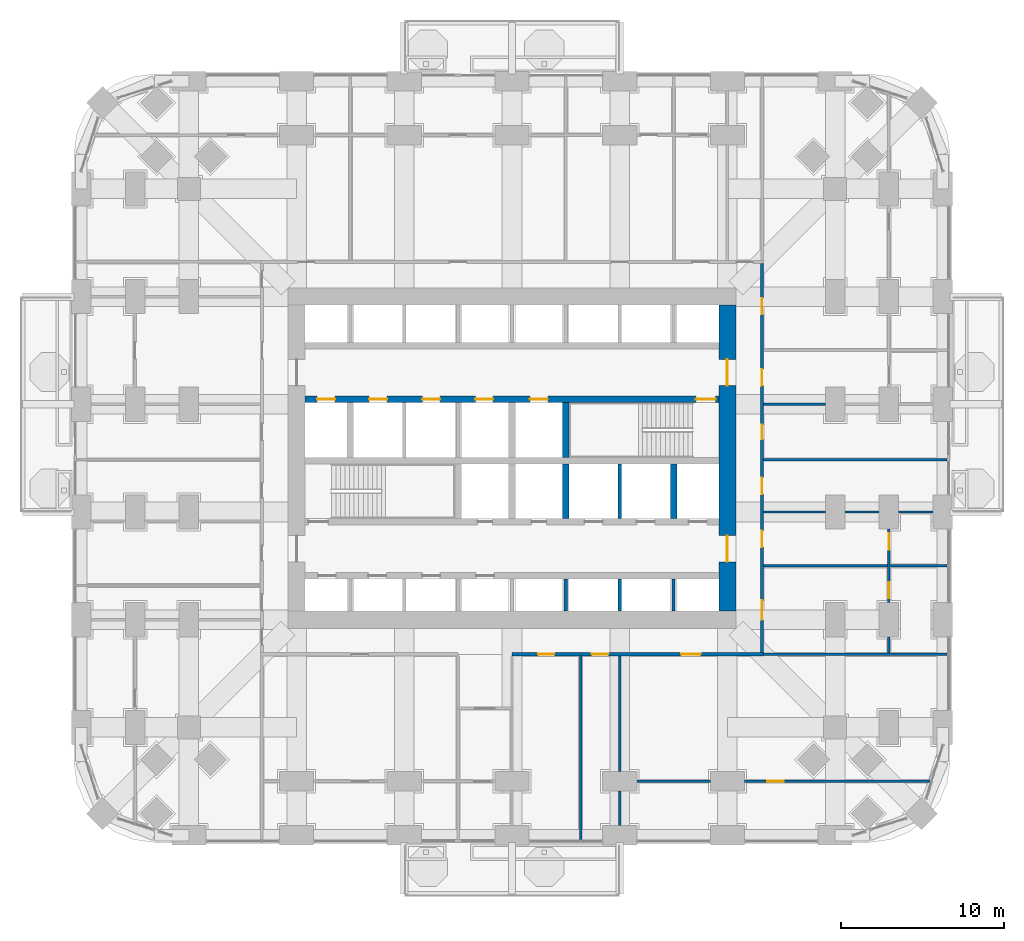
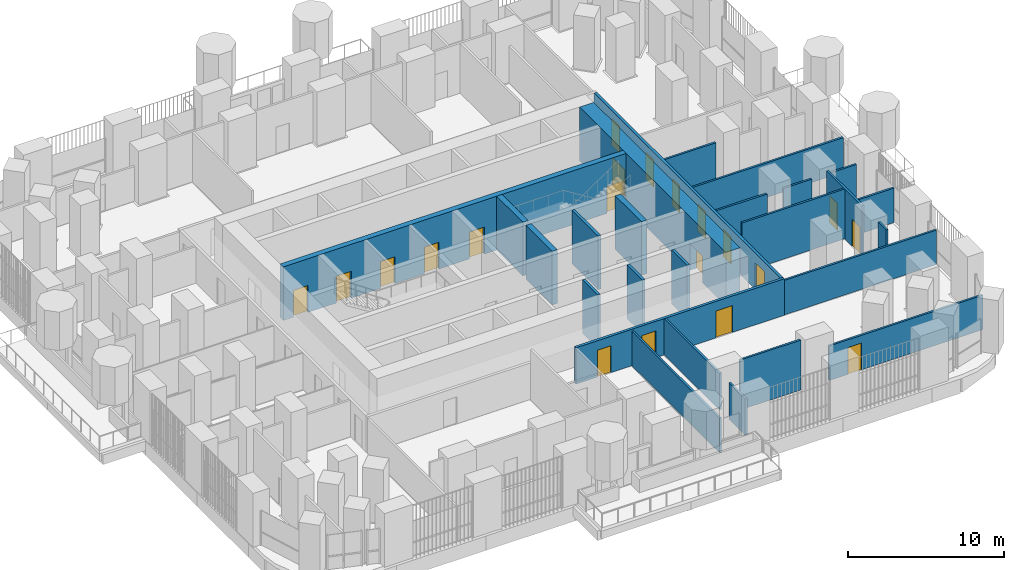
# One storey, part 19 of 26: 26 walls, 20 doors, 20 openings.
"""IFC4 building model written with IfcOpenShell, lengths in metres."""

from ifc_helpers import new_model, si_unit, direction, frame, frame_2d, origin, place, context, subcontext, project, spatial, rectangle, extrude, material, layer, layer_set, type_object, element, fill, save


model = new_model("IFC4")

# Units and contexts
model_context = context("Model", 3, precision=1e-05, world=origin(), true_north=direction((0.0, 1.0)))
body_context = subcontext(model_context, "Body", "Model", "MODEL_VIEW")
ifc_project = project(units=[si_unit("LENGTHUNIT", "METRE"), si_unit("AREAUNIT", "SQUARE_METRE"), si_unit("VOLUMEUNIT", "CUBIC_METRE"), si_unit("PLANEANGLEUNIT", "RADIAN"), si_unit("MASSUNIT", "GRAM", prefix="KILO")], contexts=[model_context])

# Site, building, storey
site_placement = place(None, origin())
site = spatial("IfcSite", under=ifc_project, at=site_placement, CompositionType="ELEMENT")
building_placement = place(site_placement, origin())
building = spatial("IfcBuilding", under=site, at=building_placement, Name="Cobogo Forest Laboratory Tower", CompositionType="ELEMENT")
storey_placement = place(building_placement, frame((0.0, 0.0, 50.699951171875)))
storey = spatial("IfcBuildingStorey", under=building, at=storey_placement, Name="L11", CompositionType="ELEMENT", Elevation=50.699951171875)

# Wall, openings, doors
ifc_material_1 = material(Name="Concrete HA-50 (C50/60)", Category="concrete")
ifc_layer_1 = layer(ifc_material_1, 0.39990234375)
ifc_layer_set_1 = layer_set([ifc_layer_1], Name="CI400 core inner wall 400")
wall_type_1 = type_object("IfcWallType", Name="CI400 core inner wall 400", PredefinedType="SHEAR", material=ifc_layer_set_1)
wall_1_placement = place(storey_placement, frame((13.72509765625, 26.699951171875, 0.0), z_axis=(0.0, 0.0, 1.0), x_axis=(1.0, 0.0, 0.0)))
wall_1 = element("IfcWall", 1, at=wall_1_placement, inside=storey, type_object=wall_type_1, Name="Core wall CI-26.7 L11", PredefinedType="SHEAR", context=body_context, shape_type="SweptSolid", body=[
    extrude(rectangle(XDim=25.349853515625, YDim=0.39990234375, at=frame_2d((12.6748046875, 0.0))), origin(), (0.0, 0.0, 1.0), 4.199951171875),
])
opening_1_placement = place(wall_1_placement, frame((23.949951171875, 0.0, 0.0)))
opening_1 = element("IfcOpeningElement", 2, at=opening_1_placement, cuts=wall_1, Name="Opening L11-D29", PredefinedType="OPENING", context=body_context, shape_type="SweptSolid", body=[
    extrude(rectangle(XDim=1.199951171875, YDim=2.10009765625, at=frame_2d((0.60009765625, 1.050048828125))), frame((0.0, 0.2099609375, 0.0), z_axis=(0.0, -1.0, 0.0), x_axis=(1.0, 0.0, 0.0)), (0.0, 0.0, 1.0), 0.419921875),
])
opening_2_placement = place(wall_1_placement, frame((0.737548828125, 0.0, 0.0)))
opening_2 = element("IfcOpeningElement", 3, at=opening_2_placement, cuts=wall_1, Name="Opening L11-LD-FL1", PredefinedType="OPENING", context=body_context, shape_type="SweptSolid", body=[
    extrude(rectangle(XDim=1.10009765625, YDim=2.10009765625, at=frame_2d((0.550048828125, 1.050048828125))), frame((0.0, 0.2099609375, 0.0), z_axis=(0.0, -1.0, 0.0), x_axis=(1.0, 0.0, 0.0)), (0.0, 0.0, 1.0), 0.419921875),
])
opening_3_placement = place(wall_1_placement, frame((3.925048828125, 0.0, 0.0)))
opening_3 = element("IfcOpeningElement", 4, at=opening_3_placement, cuts=wall_1, Name="Opening L11-LD-LS3", PredefinedType="OPENING", context=body_context, shape_type="SweptSolid", body=[
    extrude(rectangle(XDim=1.10009765625, YDim=2.10009765625, at=frame_2d((0.550048828125, 1.050048828125))), frame((0.0, 0.2099609375, 0.0), z_axis=(0.0, -1.0, 0.0), x_axis=(1.0, 0.0, 0.0)), (0.0, 0.0, 1.0), 0.419921875),
])
opening_4_placement = place(wall_1_placement, frame((7.175048828125, 0.0, 0.0)))
opening_4 = element("IfcOpeningElement", 5, at=opening_4_placement, cuts=wall_1, Name="Opening L11-LD-LS4", PredefinedType="OPENING", context=body_context, shape_type="SweptSolid", body=[
    extrude(rectangle(XDim=1.10009765625, YDim=2.10009765625, at=frame_2d((0.550048828125, 1.050048828125))), frame((0.0, 0.2099609375, 0.0), z_axis=(0.0, -1.0, 0.0), x_axis=(1.0, 0.0, 0.0)), (0.0, 0.0, 1.0), 0.419921875),
])
opening_5_placement = place(wall_1_placement, frame((10.425048828125, 0.0, 0.0)))
opening_5 = element("IfcOpeningElement", 6, at=opening_5_placement, cuts=wall_1, Name="Opening L11-LD-LS5", PredefinedType="OPENING", context=body_context, shape_type="SweptSolid", body=[
    extrude(rectangle(XDim=1.10009765625, YDim=2.10009765625, at=frame_2d((0.550048828125, 1.050048828125))), frame((0.0, 0.2099609375, 0.0), z_axis=(0.0, -1.0, 0.0), x_axis=(1.0, 0.0, 0.0)), (0.0, 0.0, 1.0), 0.419921875),
])
opening_6_placement = place(wall_1_placement, frame((13.77490234375, 0.0, 0.0)))
opening_6 = element("IfcOpeningElement", 7, at=opening_6_placement, cuts=wall_1, Name="Opening L11-LD-LS6", PredefinedType="OPENING", context=body_context, shape_type="SweptSolid", body=[
    extrude(rectangle(XDim=1.10009765625, YDim=2.10009765625, at=frame_2d((0.550048828125, 1.050048828125))), frame((0.0, 0.2099609375, 0.0), z_axis=(0.0, -1.0, 0.0), x_axis=(1.0, 0.0, 0.0)), (0.0, 0.0, 1.0), 0.419921875),
])
ifc_material_2 = material(Name="Steel fire door", Category="steel")
door_type_1 = type_object("IfcDoorType", Name="DS1 protected stair door 1200 EI2 60", OperationType="SINGLE_SWING_LEFT", PredefinedType="DOOR", material=ifc_material_2)
door_1_placement = place(opening_1_placement, origin())
door_1 = element("IfcDoor", 8, at=door_1_placement, inside=storey, type_object=door_type_1, Name="Door L11-ST2", OperationType="SINGLE_SWING_RIGHT", OverallHeight=2.10009765625, OverallWidth=1.199951171875, PredefinedType="DOOR", context=body_context, shape_type="SweptSolid", body=[
    extrude(rectangle(XDim=1.199951171875, YDim=2.10009765625, at=frame_2d((0.60009765625, 1.050048828125))), frame((0.0, 0.02490234375, 0.0), z_axis=(0.0, -1.0, 0.0), x_axis=(1.0, 0.0, 0.0)), (0.0, 0.0, 1.0), 0.050048828125),
])
fill(opening_1, door_1)
ifc_material_3 = material(Name="Stainless steel lift door", Category="steel")
door_type_2 = type_object("IfcDoorType", Name="LD lift landing door 1100", OperationType="DOUBLE_DOOR_SLIDING", PredefinedType="DOOR", material=ifc_material_3)
door_2_placement = place(opening_2_placement, origin())
door_2 = element("IfcDoor", 9, at=door_2_placement, inside=storey, type_object=door_type_2, Name="Lift landing door FL1 L11", OperationType="DOUBLE_DOOR_SLIDING", OverallHeight=2.10009765625, OverallWidth=1.10009765625, PredefinedType="DOOR", context=body_context, shape_type="SweptSolid", body=[
    extrude(rectangle(XDim=1.10009765625, YDim=2.10009765625, at=frame_2d((0.550048828125, 1.050048828125))), frame((0.0, 0.02490234375, 0.0), z_axis=(0.0, -1.0, 0.0), x_axis=(1.0, 0.0, 0.0)), (0.0, 0.0, 1.0), 0.050048828125),
])
fill(opening_2, door_2)
door_3_placement = place(opening_3_placement, origin())
door_3 = element("IfcDoor", 10, at=door_3_placement, inside=storey, type_object=door_type_2, Name="Lift landing door LS3 L11", OperationType="DOUBLE_DOOR_SLIDING", OverallHeight=2.10009765625, OverallWidth=1.10009765625, PredefinedType="DOOR", context=body_context, shape_type="SweptSolid", body=[
    extrude(rectangle(XDim=1.10009765625, YDim=2.10009765625, at=frame_2d((0.550048828125, 1.050048828125))), frame((0.0, 0.02490234375, 0.0), z_axis=(0.0, -1.0, 0.0), x_axis=(1.0, 0.0, 0.0)), (0.0, 0.0, 1.0), 0.050048828125),
])
fill(opening_3, door_3)
door_4_placement = place(opening_4_placement, origin())
door_4 = element("IfcDoor", 11, at=door_4_placement, inside=storey, type_object=door_type_2, Name="Lift landing door LS4 L11", OperationType="DOUBLE_DOOR_SLIDING", OverallHeight=2.10009765625, OverallWidth=1.10009765625, PredefinedType="DOOR", context=body_context, shape_type="SweptSolid", body=[
    extrude(rectangle(XDim=1.10009765625, YDim=2.10009765625, at=frame_2d((0.550048828125, 1.050048828125))), frame((0.0, 0.02490234375, 0.0), z_axis=(0.0, -1.0, 0.0), x_axis=(1.0, 0.0, 0.0)), (0.0, 0.0, 1.0), 0.050048828125),
])
fill(opening_4, door_4)
door_5_placement = place(opening_5_placement, origin())
door_5 = element("IfcDoor", 12, at=door_5_placement, inside=storey, type_object=door_type_2, Name="Lift landing door LS5 L11", OperationType="DOUBLE_DOOR_SLIDING", OverallHeight=2.10009765625, OverallWidth=1.10009765625, PredefinedType="DOOR", context=body_context, shape_type="SweptSolid", body=[
    extrude(rectangle(XDim=1.10009765625, YDim=2.10009765625, at=frame_2d((0.550048828125, 1.050048828125))), frame((0.0, 0.02490234375, 0.0), z_axis=(0.0, -1.0, 0.0), x_axis=(1.0, 0.0, 0.0)), (0.0, 0.0, 1.0), 0.050048828125),
])
fill(opening_5, door_5)
door_6_placement = place(opening_6_placement, origin())
door_6 = element("IfcDoor", 13, at=door_6_placement, inside=storey, type_object=door_type_2, Name="Lift landing door LS6 L11", OperationType="DOUBLE_DOOR_SLIDING", OverallHeight=2.10009765625, OverallWidth=1.10009765625, PredefinedType="DOOR", context=body_context, shape_type="SweptSolid", body=[
    extrude(rectangle(XDim=1.10009765625, YDim=2.10009765625, at=frame_2d((0.550048828125, 1.050048828125))), frame((0.0, 0.02490234375, 0.0), z_axis=(0.0, -1.0, 0.0), x_axis=(1.0, 0.0, 0.0)), (0.0, 0.0, 1.0), 0.050048828125),
])
fill(opening_6, door_6)

# Walls
for number, where, z_axis, x_axis, name in (
    (14, (29.699951171875, 19.39990234375, 0.0), (0.0, 0.0, 1.0), (0.0, 1.0, 0.0), "Core wall CX-29.7S L11"),
    (15, (36.300048828125, 19.39990234375, 0.0), (0.0, 0.0, 1.0), (0.0, 1.0, 0.0), "Core wall CX-36.3 L11"),
    (16, (29.699951171875, 23.14990234375, 0.0), (0.0, 0.0, 1.0), (0.0, 1.0, 0.0), "Core wall CX-29.7N L11"),
):
    element("IfcWall", number, at=place(storey_placement, frame(where, z_axis=z_axis, x_axis=x_axis)), inside=storey, type_object=wall_type_1, Name=name, PredefinedType="SHEAR", context=body_context, shape_type="SweptSolid", body=[
        extrude(rectangle(XDim=3.35009765625, YDim=0.39990234375, at=frame_2d((1.675048828125, 0.0))), origin(), (0.0, 0.0, 1.0), 4.199951171875),
    ])

# Wall, openings, doors
ifc_layer_2 = layer(ifc_material_1, 1.050048828125)
ifc_layer_set_2 = layer_set([ifc_layer_2], Name="CW1050 core outer wall 1050")
wall_type_2 = type_object("IfcWallType", Name="CW1050 core outer wall 1050", PredefinedType="SHEAR", material=ifc_layer_set_2)
wall_2_placement = place(storey_placement, frame((39.60009765625, 13.72509765625, 0.0), z_axis=(0.0, 0.0, 1.0), x_axis=(0.0, 1.0, 0.0)))
wall_2 = element("IfcWall", 17, at=wall_2_placement, inside=storey, type_object=wall_type_2, Name="Core wall CO-E L11", PredefinedType="SHEAR", context=body_context, shape_type="SweptSolid", body=[
    extrude(rectangle(XDim=18.75, YDim=1.050048828125, at=frame_2d((9.375, 0.0))), origin(), (0.0, 0.0, 1.0), 4.199951171875),
])
opening_7_placement = place(wall_2_placement, frame((3.02490234375, 0.0, 0.0)))
opening_7 = element("IfcOpeningElement", 18, at=opening_7_placement, cuts=wall_2, Name="Opening L11-D17", PredefinedType="OPENING", context=body_context, shape_type="SweptSolid", body=[
    extrude(rectangle(XDim=1.60009765625, YDim=2.10009765625, at=frame_2d((0.800048828125, 1.050048828125))), frame((0.0, 0.534912109375, 0.0), z_axis=(0.0, -1.0, 0.0), x_axis=(1.0, 0.0, 0.0)), (0.0, 0.0, 1.0), 1.070068359375),
])
opening_8_placement = place(wall_2_placement, frame((13.824951171875, 0.0, 0.0)))
opening_8 = element("IfcOpeningElement", 19, at=opening_8_placement, cuts=wall_2, Name="Opening L11-D33", PredefinedType="OPENING", context=body_context, shape_type="SweptSolid", body=[
    extrude(rectangle(XDim=1.60009765625, YDim=2.10009765625, at=frame_2d((0.800048828125, 1.050048828125))), frame((0.0, 0.534912109375, 0.0), z_axis=(0.0, -1.0, 0.0), x_axis=(1.0, 0.0, 0.0)), (0.0, 0.0, 1.0), 1.070068359375),
])
door_type_3 = type_object("IfcDoorType", Name="DS2 protected lobby door pair 1600 EI2 60", OperationType="DOUBLE_DOOR_DOUBLE_SWING", PredefinedType="DOOR", material=ifc_material_2)
door_7_placement = place(opening_7_placement, origin())
door_7 = element("IfcDoor", 20, at=door_7_placement, inside=storey, type_object=door_type_3, Name="Door L11-CO-E-S", OperationType="DOUBLE_DOOR_DOUBLE_SWING", OverallHeight=2.10009765625, OverallWidth=1.60009765625, PredefinedType="DOOR", context=body_context, shape_type="SweptSolid", body=[
    extrude(rectangle(XDim=1.60009765625, YDim=2.10009765625, at=frame_2d((0.800048828125, 1.050048828125))), frame((0.0, 0.02490234375, 0.0), z_axis=(0.0, -1.0, 0.0), x_axis=(1.0, 0.0, 0.0)), (0.0, 0.0, 1.0), 0.050048828125),
])
fill(opening_7, door_7)
door_8_placement = place(opening_8_placement, origin())
door_8 = element("IfcDoor", 21, at=door_8_placement, inside=storey, type_object=door_type_3, Name="Door L11-CO-E-N", OperationType="DOUBLE_DOOR_DOUBLE_SWING", OverallHeight=2.10009765625, OverallWidth=1.60009765625, PredefinedType="DOOR", context=body_context, shape_type="SweptSolid", body=[
    extrude(rectangle(XDim=1.60009765625, YDim=2.10009765625, at=frame_2d((0.800048828125, 1.050048828125))), frame((0.0, 0.02490234375, 0.0), z_axis=(0.0, -1.0, 0.0), x_axis=(1.0, 0.0, 0.0)), (0.0, 0.0, 1.0), 0.050048828125),
])
fill(opening_8, door_8)

# Walls
ifc_material_4 = material(Name="Gypsum board on steel studs", Category="steel")
ifc_layer_3 = layer(ifc_material_4, 0.14990234375)
ifc_layer_set_3 = layer_set([ifc_layer_3], Name="PT1 laboratory partition 150")
wall_type_3 = type_object("IfcWallType", Name="PT1 laboratory partition 150", PredefinedType="PARTITIONING", material=ifc_layer_set_3)
wall_3_placement = place(storey_placement, frame((53.070068359375, 11.074951171875, 0.0), z_axis=(0.0, 0.0, 1.0), x_axis=(-1.0, 0.0, 0.0)))
element("IfcWall", 22, at=wall_3_placement, inside=storey, type_object=wall_type_3, Name="Partition PW-SE L11", PredefinedType="PARTITIONING", context=body_context, shape_type="SweptSolid", body=[
    extrude(rectangle(XDim=11.2451171875, YDim=0.14990234375, at=frame_2d((5.62255859375, 0.0))), origin(), (0.0, 0.0, 1.0), 2.699951171875),
])
wall_4_placement = place(storey_placement, frame((34.050048828125, 3.300048828125, 0.0), z_axis=(0.0, 0.0, 1.0), x_axis=(1.0, 0.0, 0.0)))
element("IfcWall", 23, at=wall_4_placement, inside=storey, type_object=wall_type_3, Name="Partition STRIP-S-4 L11", PredefinedType="PARTITIONING", context=body_context, shape_type="SweptSolid", body=[
    extrude(rectangle(XDim=4.5, YDim=0.14990234375, at=frame_2d((2.25, 0.0))), origin(), (0.0, 0.0, 1.0), 3.900146484375),
])

# Wall, opening, door
wall_5_placement = place(storey_placement, frame((40.64990234375, 3.300048828125, 0.0), z_axis=(0.0, 0.0, 1.0), x_axis=(1.0, 0.0, 0.0)))
wall_5 = element("IfcWall", 24, at=wall_5_placement, inside=storey, type_object=wall_type_3, Name="Partition STRIP-S-5 L11", PredefinedType="PARTITIONING", context=body_context, shape_type="SweptSolid", body=[
    extrude(rectangle(XDim=11.3740234375, YDim=0.14990234375, at=frame_2d((5.68701171875, 0.0))), origin(), (0.0, 0.0, 1.0), 2.699951171875),
])
opening_9_placement = place(wall_5_placement, frame((1.39208984375, 0.0, 0.0)))
opening_9 = element("IfcOpeningElement", 25, at=opening_9_placement, cuts=wall_5, Name="Opening L11-D04", PredefinedType="OPENING", context=body_context, shape_type="SweptSolid", body=[
    extrude(rectangle(XDim=1.0, YDim=2.10009765625, at=frame_2d((0.5, 1.050048828125))), frame((0.0, 0.0849609375, 0.0), z_axis=(0.0, -1.0, 0.0), x_axis=(1.0, 0.0, 0.0)), (0.0, 0.0, 1.0), 0.169921875),
])
ifc_material_5 = material(Name="Timber fire door", Category="wood")
door_type_4 = type_object("IfcDoorType", Name="FD2 fire door 1000 EI2 30", OperationType="SINGLE_SWING_LEFT", PredefinedType="DOOR", material=ifc_material_5)
door_9_placement = place(opening_9_placement, origin())
door_9 = element("IfcDoor", 26, at=door_9_placement, inside=storey, type_object=door_type_4, Name="Door L11-S3W", OperationType="SINGLE_SWING_LEFT", OverallHeight=2.10009765625, OverallWidth=1.0, PredefinedType="DOOR", context=body_context, shape_type="SweptSolid", body=[
    extrude(rectangle(XDim=1.0, YDim=2.10009765625, at=frame_2d((0.5, 1.050048828125))), frame((0.0, 0.02490234375, 0.0), z_axis=(0.0, -1.0, 0.0), x_axis=(1.0, 0.0, 0.0)), (0.0, 0.0, 1.0), 0.050048828125),
])
fill(opening_9, door_9)

# Walls
wall_6_placement = place(storey_placement, frame((30.60009765625, -0.27001953125, 0.0), z_axis=(0.0, 0.0, 1.0), x_axis=(0.0, 1.0, 0.0)))
element("IfcWall", 27, at=wall_6_placement, inside=storey, type_object=wall_type_3, Name="Partition SVC-S1-1 L11", PredefinedType="PARTITIONING", context=body_context, shape_type="SweptSolid", body=[
    extrude(rectangle(XDim=11.2451171875, YDim=0.14990234375, at=frame_2d((5.62255859375, 0.0))), origin(), (0.0, 0.0, 1.0), 2.699951171875),
])
wall_7_placement = place(storey_placement, frame((33.0, 0.60009765625, 0.0), z_axis=(0.0, 0.0, 1.0), x_axis=(0.0, 1.0, 0.0)))
element("IfcWall", 28, at=wall_7_placement, inside=storey, type_object=wall_type_3, Name="Partition SVC-S2-1 L11", PredefinedType="PARTITIONING", context=body_context, shape_type="SweptSolid", body=[
    extrude(rectangle(XDim=2.099853515625, YDim=0.14990234375, at=frame_2d((1.0498046875, 0.0))), origin(), (0.0, 0.0, 1.0), 2.85009765625),
])
wall_8_placement = place(storey_placement, frame((33.0, 3.89990234375, 0.0), z_axis=(0.0, 0.0, 1.0), x_axis=(0.0, 1.0, 0.0)))
element("IfcWall", 29, at=wall_8_placement, inside=storey, type_object=wall_type_3, Name="Partition SVC-S2-2 L11", PredefinedType="PARTITIONING", context=body_context, shape_type="SweptSolid", body=[
    extrude(rectangle(XDim=7.0751953125, YDim=0.14990234375, at=frame_2d((3.53759765625, 0.0))), origin(), (0.0, 0.0, 1.0), 2.85009765625),
])
wall_9_placement = place(storey_placement, frame((49.5, 11.14990234375, 0.0), z_axis=(0.0, 0.0, 1.0), x_axis=(0.0, 1.0, 0.0)))
element("IfcWall", 30, at=wall_9_placement, inside=storey, type_object=wall_type_3, Name="Partition STRIP-E-1 L11", PredefinedType="PARTITIONING", context=body_context, shape_type="SweptSolid", body=[
    extrude(rectangle(XDim=1.0, YDim=0.14990234375, at=frame_2d((0.5, 0.0))), origin(), (0.0, 0.0, 1.0), 3.900146484375),
])

# Wall, openings, doors
wall_10_placement = place(storey_placement, frame((49.5, 14.25, 0.0), z_axis=(0.0, 0.0, 1.0), x_axis=(0.0, 1.0, 0.0)))
wall_10 = element("IfcWall", 31, at=wall_10_placement, inside=storey, type_object=wall_type_3, Name="Partition STRIP-E-2 L11", PredefinedType="PARTITIONING", context=body_context, shape_type="SweptSolid", body=[
    extrude(rectangle(XDim=4.5, YDim=0.14990234375, at=frame_2d((2.25, 0.0))), origin(), (0.0, 0.0, 1.0), 3.900146484375),
])
opening_10_placement = place(wall_10_placement, frame((0.25, 0.0, 0.0)))
opening_10 = element("IfcOpeningElement", 32, at=opening_10_placement, cuts=wall_10, Name="Opening L11-D14", PredefinedType="OPENING", context=body_context, shape_type="SweptSolid", body=[
    extrude(rectangle(XDim=1.0, YDim=2.10009765625, at=frame_2d((0.5, 1.050048828125))), frame((0.0, 0.0849609375, 0.0), z_axis=(0.0, -1.0, 0.0), x_axis=(1.0, 0.0, 0.0)), (0.0, 0.0, 1.0), 0.169921875),
])
opening_11_placement = place(wall_10_placement, frame((3.25, 0.0, 0.0)))
opening_11 = element("IfcOpeningElement", 33, at=opening_11_placement, cuts=wall_10, Name="Opening L11-D18", PredefinedType="OPENING", context=body_context, shape_type="SweptSolid", body=[
    extrude(rectangle(XDim=1.0, YDim=2.10009765625, at=frame_2d((0.5, 1.050048828125))), frame((0.0, 0.0849609375, 0.0), z_axis=(0.0, -1.0, 0.0), x_axis=(1.0, 0.0, 0.0)), (0.0, 0.0, 1.0), 0.169921875),
])
door_10_placement = place(opening_10_placement, origin())
door_10 = element("IfcDoor", 34, at=door_10_placement, inside=storey, type_object=door_type_4, Name="Door L11-E1W", OperationType="SINGLE_SWING_LEFT", OverallHeight=2.10009765625, OverallWidth=1.0, PredefinedType="DOOR", context=body_context, shape_type="SweptSolid", body=[
    extrude(rectangle(XDim=1.0, YDim=2.10009765625, at=frame_2d((0.5, 1.050048828125))), frame((0.0, 0.02490234375, 0.0), z_axis=(0.0, -1.0, 0.0), x_axis=(1.0, 0.0, 0.0)), (0.0, 0.0, 1.0), 0.050048828125),
])
fill(opening_10, door_10)
door_11_placement = place(opening_11_placement, origin())
door_11 = element("IfcDoor", 35, at=door_11_placement, inside=storey, type_object=door_type_4, Name="Door L11-E2W", OperationType="SINGLE_SWING_RIGHT", OverallHeight=2.10009765625, OverallWidth=1.0, PredefinedType="DOOR", context=body_context, shape_type="SweptSolid", body=[
    extrude(rectangle(XDim=1.0, YDim=2.10009765625, at=frame_2d((0.5, 1.050048828125))), frame((0.0, 0.02490234375, 0.0), z_axis=(0.0, -1.0, 0.0), x_axis=(1.0, 0.0, 0.0)), (0.0, 0.0, 1.0), 0.050048828125),
])
fill(opening_11, door_11)

# Walls
wall_11_placement = place(storey_placement, frame((53.070068359375, 23.0, 0.0), z_axis=(0.0, 0.0, 1.0), x_axis=(-1.0, 0.0, 0.0)))
element("IfcWall", 36, at=wall_11_placement, inside=storey, type_object=wall_type_3, Name="Partition SVC-E1-1 L11", PredefinedType="PARTITIONING", context=body_context, shape_type="SweptSolid", body=[
    extrude(rectangle(XDim=11.2451171875, YDim=0.14990234375, at=frame_2d((5.62255859375, 0.0))), origin(), (0.0, 0.0, 1.0), 2.699951171875),
])
wall_12_placement = place(storey_placement, frame((45.60009765625, 26.39990234375, 0.0), z_axis=(0.0, 0.0, 1.0), x_axis=(-1.0, 0.0, 0.0)))
element("IfcWall", 37, at=wall_12_placement, inside=storey, type_object=wall_type_3, Name="Partition SVC-E2-3 L11", PredefinedType="PARTITIONING", context=body_context, shape_type="SweptSolid", body=[
    extrude(rectangle(XDim=3.775146484375, YDim=0.14990234375, at=frame_2d((1.8876953125, 0.0))), origin(), (0.0, 0.0, 1.0), 2.85009765625),
])
wall_13_placement = place(storey_placement, frame((53.070068359375, 16.5, 0.0), z_axis=(0.0, 0.0, 1.0), x_axis=(-1.0, 0.0, 0.0)))
element("IfcWall", 38, at=wall_13_placement, inside=storey, type_object=wall_type_3, Name="Partition CUT-E16.5a-1 L11", PredefinedType="PARTITIONING", context=body_context, shape_type="SweptSolid", body=[
    extrude(rectangle(XDim=3.4951171875, YDim=0.14990234375, at=frame_2d((1.74755859375, 0.0))), origin(), (0.0, 0.0, 1.0), 2.699951171875),
])
wall_14_placement = place(storey_placement, frame((49.425048828125, 16.5, 0.0), z_axis=(0.0, 0.0, 1.0), x_axis=(-1.0, 0.0, 0.0)))
element("IfcWall", 39, at=wall_14_placement, inside=storey, type_object=wall_type_3, Name="Partition CUT-E16.5b-1 L11", PredefinedType="PARTITIONING", context=body_context, shape_type="SweptSolid", body=[
    extrude(rectangle(XDim=7.60009765625, YDim=0.14990234375, at=frame_2d((3.800048828125, 0.0))), origin(), (0.0, 0.0, 1.0), 3.900146484375),
])
for number, where, z_axis, x_axis, name in (
    (40, (52.199951171875, 19.800048828125, 0.0), (0.0, 0.0, 1.0), (-1.0, 0.0, 0.0), "Partition CUT-E19.8-1 L11"),
    (41, (48.89990234375, 19.800048828125, 0.0), (0.0, 0.0, 1.0), (-1.0, 0.0, 0.0), "Partition CUT-E19.8-2 L11"),
):
    element("IfcWall", number, at=place(storey_placement, frame(where, z_axis=z_axis, x_axis=x_axis)), inside=storey, type_object=wall_type_3, Name=name, PredefinedType="PARTITIONING", context=body_context, shape_type="SweptSolid", body=[
        extrude(rectangle(XDim=2.099853515625, YDim=0.14990234375, at=frame_2d((1.0498046875, 0.0))), origin(), (0.0, 0.0, 1.0), 2.85009765625),
    ])
wall_15_placement = place(storey_placement, frame((45.60009765625, 19.800048828125, 0.0), z_axis=(0.0, 0.0, 1.0), x_axis=(-1.0, 0.0, 0.0)))
element("IfcWall", 42, at=wall_15_placement, inside=storey, type_object=wall_type_3, Name="Partition CUT-E19.8-3 L11", PredefinedType="PARTITIONING", context=body_context, shape_type="SweptSolid", body=[
    extrude(rectangle(XDim=3.775146484375, YDim=0.14990234375, at=frame_2d((1.8876953125, 0.0))), origin(), (0.0, 0.0, 1.0), 2.85009765625),
])

# Wall, openings, doors
ifc_layer_4 = layer(ifc_material_4, 0.199951171875)
ifc_layer_set_4 = layer_set([ifc_layer_4], Name="PT2 fire-rated corridor partition 200")
wall_type_4 = type_object("IfcWallType", Name="PT2 fire-rated corridor partition 200", PredefinedType="PARTITIONING", material=ifc_layer_set_4)
wall_16_placement = place(storey_placement, frame((26.39990234375, 11.074951171875, 0.0), z_axis=(0.0, 0.0, 1.0), x_axis=(1.0, 0.0, 0.0)))
wall_16 = element("IfcWall", 43, at=wall_16_placement, inside=storey, type_object=wall_type_4, Name="Partition CORR-S-2 L11", PredefinedType="PARTITIONING", context=body_context, shape_type="SweptSolid", body=[
    extrude(rectangle(XDim=15.425048828125, YDim=0.199951171875, at=frame_2d((7.71240234375, 0.0))), origin(), (0.0, 0.0, 1.0), 2.85009765625),
])
opening_12_placement = place(wall_16_placement, frame((1.60009765625, 0.0, 0.0)))
opening_12 = element("IfcOpeningElement", 44, at=opening_12_placement, cuts=wall_16, Name="Opening L11-D08", PredefinedType="OPENING", context=body_context, shape_type="SweptSolid", body=[
    extrude(rectangle(XDim=1.0, YDim=2.10009765625, at=frame_2d((0.5, 1.050048828125))), frame((0.0, 0.10986328125, 0.0), z_axis=(0.0, -1.0, 0.0), x_axis=(1.0, 0.0, 0.0)), (0.0, 0.0, 1.0), 0.219970703125),
])
opening_13_placement = place(wall_16_placement, frame((4.89990234375, 0.0, 0.0)))
opening_13 = element("IfcOpeningElement", 45, at=opening_13_placement, cuts=wall_16, Name="Opening L11-D09", PredefinedType="OPENING", context=body_context, shape_type="SweptSolid", body=[
    extrude(rectangle(XDim=1.0, YDim=2.10009765625, at=frame_2d((0.5, 1.050048828125))), frame((0.0, 0.10986328125, 0.0), z_axis=(0.0, -1.0, 0.0), x_axis=(1.0, 0.0, 0.0)), (0.0, 0.0, 1.0), 0.219970703125),
])
opening_14_placement = place(wall_16_placement, frame((10.362548828125, 0.0, 0.0)))
opening_14 = element("IfcOpeningElement", 46, at=opening_14_placement, cuts=wall_16, Name="Opening L11-D10", PredefinedType="OPENING", context=body_context, shape_type="SweptSolid", body=[
    extrude(rectangle(XDim=1.199951171875, YDim=2.10009765625, at=frame_2d((0.60009765625, 1.050048828125))), frame((0.0, 0.10986328125, 0.0), z_axis=(0.0, -1.0, 0.0), x_axis=(1.0, 0.0, 0.0)), (0.0, 0.0, 1.0), 0.219970703125),
])
ifc_material_6 = material(Name="Timber door", Category="wood")
door_type_5 = type_object("IfcDoorType", Name="D2 laboratory door 1200 unequal pair", OperationType="DOUBLE_DOOR_SINGLE_SWING", PredefinedType="DOOR", material=ifc_material_6)
door_12_placement = place(opening_14_placement, origin())
door_12 = element("IfcDoor", 47, at=door_12_placement, inside=storey, type_object=door_type_5, Name="Door L11-S3", OperationType="DOUBLE_DOOR_SINGLE_SWING", OverallHeight=2.10009765625, OverallWidth=1.199951171875, PredefinedType="DOOR", context=body_context, shape_type="SweptSolid", body=[
    extrude(rectangle(XDim=1.199951171875, YDim=2.10009765625, at=frame_2d((0.60009765625, 1.050048828125))), frame((0.0, 0.02490234375, 0.0), z_axis=(0.0, -1.0, 0.0), x_axis=(1.0, 0.0, 0.0)), (0.0, 0.0, 1.0), 0.050048828125),
])
fill(opening_14, door_12)
door_13_placement = place(opening_12_placement, origin())
door_13 = element("IfcDoor", 48, at=door_13_placement, inside=storey, type_object=door_type_4, Name="Door L11-MTG", OperationType="SINGLE_SWING_LEFT", OverallHeight=2.10009765625, OverallWidth=1.0, PredefinedType="DOOR", context=body_context, shape_type="SweptSolid", body=[
    extrude(rectangle(XDim=1.0, YDim=2.10009765625, at=frame_2d((0.5, 1.050048828125))), frame((0.0, 0.02490234375, 0.0), z_axis=(0.0, -1.0, 0.0), x_axis=(1.0, 0.0, 0.0)), (0.0, 0.0, 1.0), 0.050048828125),
])
fill(opening_12, door_13)
door_14_placement = place(opening_13_placement, origin())
door_14 = element("IfcDoor", 49, at=door_14_placement, inside=storey, type_object=door_type_4, Name="Door L11-PAN", OperationType="SINGLE_SWING_LEFT", OverallHeight=2.10009765625, OverallWidth=1.0, PredefinedType="DOOR", context=body_context, shape_type="SweptSolid", body=[
    extrude(rectangle(XDim=1.0, YDim=2.10009765625, at=frame_2d((0.5, 1.050048828125))), frame((0.0, 0.02490234375, 0.0), z_axis=(0.0, -1.0, 0.0), x_axis=(1.0, 0.0, 0.0)), (0.0, 0.0, 1.0), 0.050048828125),
])
fill(opening_13, door_14)

wall_17_placement = place(storey_placement, frame((41.72509765625, 11.175048828125, 0.0), z_axis=(0.0, 0.0, 1.0), x_axis=(0.0, 1.0, 0.0)))
wall_17 = element("IfcWall", 50, at=wall_17_placement, inside=storey, type_object=wall_type_4, Name="Partition CORR-E L11", PredefinedType="PARTITIONING", context=body_context, shape_type="SweptSolid", body=[
    extrude(rectangle(XDim=23.849853515625, YDim=0.199951171875, at=frame_2d((11.9248046875, 0.0))), origin(), (0.0, 0.0, 1.0), 2.85009765625),
])
opening_15_placement = place(wall_17_placement, frame((2.012451171875, 0.0, 0.0)))
opening_15 = element("IfcOpeningElement", 51, at=opening_15_placement, cuts=wall_17, Name="Opening L11-D12", PredefinedType="OPENING", context=body_context, shape_type="SweptSolid", body=[
    extrude(rectangle(XDim=1.199951171875, YDim=2.10009765625, at=frame_2d((0.60009765625, 1.050048828125))), frame((0.0, 0.10986328125, 0.0), z_axis=(0.0, -1.0, 0.0), x_axis=(1.0, 0.0, 0.0)), (0.0, 0.0, 1.0), 0.219970703125),
])
opening_16_placement = place(wall_17_placement, frame((6.47509765625, 0.0, 0.0)))
opening_16 = element("IfcOpeningElement", 52, at=opening_16_placement, cuts=wall_17, Name="Opening L11-D19", PredefinedType="OPENING", context=body_context, shape_type="SweptSolid", body=[
    extrude(rectangle(XDim=1.0, YDim=2.10009765625, at=frame_2d((0.5, 1.050048828125))), frame((0.0, 0.10986328125, 0.0), z_axis=(0.0, -1.0, 0.0), x_axis=(1.0, 0.0, 0.0)), (0.0, 0.0, 1.0), 0.219970703125),
])
opening_17_placement = place(wall_17_placement, frame((9.72509765625, 0.0, 0.0)))
opening_17 = element("IfcOpeningElement", 53, at=opening_17_placement, cuts=wall_17, Name="Opening L11-D24", PredefinedType="OPENING", context=body_context, shape_type="SweptSolid", body=[
    extrude(rectangle(XDim=1.0, YDim=2.10009765625, at=frame_2d((0.5, 1.050048828125))), frame((0.0, 0.10986328125, 0.0), z_axis=(0.0, -1.0, 0.0), x_axis=(1.0, 0.0, 0.0)), (0.0, 0.0, 1.0), 0.219970703125),
])
opening_18_placement = place(wall_17_placement, frame((13.074951171875, 0.0, 0.0)))
opening_18 = element("IfcOpeningElement", 54, at=opening_18_placement, cuts=wall_17, Name="Opening L11-D28", PredefinedType="OPENING", context=body_context, shape_type="SweptSolid", body=[
    extrude(rectangle(XDim=0.89990234375, YDim=2.10009765625, at=frame_2d((0.449951171875, 1.050048828125))), frame((0.0, 0.10986328125, 0.0), z_axis=(0.0, -1.0, 0.0), x_axis=(1.0, 0.0, 0.0)), (0.0, 0.0, 1.0), 0.219970703125),
])
opening_19_placement = place(wall_17_placement, frame((16.375, 0.0, 0.0)))
opening_19 = element("IfcOpeningElement", 55, at=opening_19_placement, cuts=wall_17, Name="Opening L11-D30", PredefinedType="OPENING", context=body_context, shape_type="SweptSolid", body=[
    extrude(rectangle(XDim=1.0, YDim=2.10009765625, at=frame_2d((0.5, 1.050048828125))), frame((0.0, 0.10986328125, 0.0), z_axis=(0.0, -1.0, 0.0), x_axis=(1.0, 0.0, 0.0)), (0.0, 0.0, 1.0), 0.219970703125),
])
opening_20_placement = place(wall_17_placement, frame((20.737548828125, 0.0, 0.0)))
opening_20 = element("IfcOpeningElement", 56, at=opening_20_placement, cuts=wall_17, Name="Opening L11-D36", PredefinedType="OPENING", context=body_context, shape_type="SweptSolid", body=[
    extrude(rectangle(XDim=1.0, YDim=2.10009765625, at=frame_2d((0.5, 1.050048828125))), frame((0.0, 0.10986328125, 0.0), z_axis=(0.0, -1.0, 0.0), x_axis=(1.0, 0.0, 0.0)), (0.0, 0.0, 1.0), 0.219970703125),
])
door_15_placement = place(opening_15_placement, origin())
door_15 = element("IfcDoor", 57, at=door_15_placement, inside=storey, type_object=door_type_5, Name="Door L11-E1", OperationType="DOUBLE_DOOR_SINGLE_SWING", OverallHeight=2.10009765625, OverallWidth=1.199951171875, PredefinedType="DOOR", context=body_context, shape_type="SweptSolid", body=[
    extrude(rectangle(XDim=1.199951171875, YDim=2.10009765625, at=frame_2d((0.60009765625, 1.050048828125))), frame((0.0, 0.02490234375, 0.0), z_axis=(0.0, -1.0, 0.0), x_axis=(1.0, 0.0, 0.0)), (0.0, 0.0, 1.0), 0.050048828125),
])
fill(opening_15, door_15)
door_type_6 = type_object("IfcDoorType", Name="FD1 fire door 1000 EI2 60", OperationType="SINGLE_SWING_LEFT", PredefinedType="DOOR", material=ifc_material_2)
door_16_placement = place(opening_16_placement, origin())
door_16 = element("IfcDoor", 58, at=door_16_placement, inside=storey, type_object=door_type_6, Name="Door L11-E2", OperationType="SINGLE_SWING_LEFT", OverallHeight=2.10009765625, OverallWidth=1.0, PredefinedType="DOOR", context=body_context, shape_type="SweptSolid", body=[
    extrude(rectangle(XDim=1.0, YDim=2.10009765625, at=frame_2d((0.5, 1.050048828125))), frame((0.0, 0.02490234375, 0.0), z_axis=(0.0, -1.0, 0.0), x_axis=(1.0, 0.0, 0.0)), (0.0, 0.0, 1.0), 0.050048828125),
])
fill(opening_16, door_16)
door_17_placement = place(opening_17_placement, origin())
door_17 = element("IfcDoor", 59, at=door_17_placement, inside=storey, type_object=door_type_6, Name="Door L11-ELEC", OperationType="SINGLE_SWING_LEFT", OverallHeight=2.10009765625, OverallWidth=1.0, PredefinedType="DOOR", context=body_context, shape_type="SweptSolid", body=[
    extrude(rectangle(XDim=1.0, YDim=2.10009765625, at=frame_2d((0.5, 1.050048828125))), frame((0.0, 0.02490234375, 0.0), z_axis=(0.0, -1.0, 0.0), x_axis=(1.0, 0.0, 0.0)), (0.0, 0.0, 1.0), 0.050048828125),
])
fill(opening_17, door_17)
door_18_placement = place(opening_19_placement, origin())
door_18 = element("IfcDoor", 60, at=door_18_placement, inside=storey, type_object=door_type_6, Name="Door L11-E3", OperationType="SINGLE_SWING_RIGHT", OverallHeight=2.10009765625, OverallWidth=1.0, PredefinedType="DOOR", context=body_context, shape_type="SweptSolid", body=[
    extrude(rectangle(XDim=1.0, YDim=2.10009765625, at=frame_2d((0.5, 1.050048828125))), frame((0.0, 0.02490234375, 0.0), z_axis=(0.0, -1.0, 0.0), x_axis=(1.0, 0.0, 0.0)), (0.0, 0.0, 1.0), 0.050048828125),
])
fill(opening_19, door_18)
door_19_placement = place(opening_20_placement, origin())
door_19 = element("IfcDoor", 61, at=door_19_placement, inside=storey, type_object=door_type_4, Name="Door L11-E4", OperationType="SINGLE_SWING_RIGHT", OverallHeight=2.10009765625, OverallWidth=1.0, PredefinedType="DOOR", context=body_context, shape_type="SweptSolid", body=[
    extrude(rectangle(XDim=1.0, YDim=2.10009765625, at=frame_2d((0.5, 1.050048828125))), frame((0.0, 0.02490234375, 0.0), z_axis=(0.0, -1.0, 0.0), x_axis=(1.0, 0.0, 0.0)), (0.0, 0.0, 1.0), 0.050048828125),
])
fill(opening_20, door_19)
door_type_7 = type_object("IfcDoorType", Name="FD4 riser access door 900 EI2 60", OperationType="SINGLE_SWING_LEFT", PredefinedType="DOOR", material=ifc_material_2)
door_20_placement = place(opening_18_placement, origin())
door_20 = element("IfcDoor", 62, at=door_20_placement, inside=storey, type_object=door_type_7, Name="Door L11-COMMS", OperationType="SINGLE_SWING_RIGHT", OverallHeight=2.10009765625, OverallWidth=0.89990234375, PredefinedType="DOOR", context=body_context, shape_type="SweptSolid", body=[
    extrude(rectangle(XDim=0.89990234375, YDim=2.10009765625, at=frame_2d((0.449951171875, 1.050048828125))), frame((0.0, 0.02490234375, 0.0), z_axis=(0.0, -1.0, 0.0), x_axis=(1.0, 0.0, 0.0)), (0.0, 0.0, 1.0), 0.050048828125),
])
fill(opening_18, door_20)

# Walls
ifc_material_7 = material(Name="Concrete block", Category="concrete")
ifc_layer_5 = layer(ifc_material_7, 0.199951171875)
ifc_layer_set_5 = layer_set([ifc_layer_5], Name="SW200 lift shaft separator 200")
wall_type_5 = type_object("IfcWallType", Name="SW200 lift shaft separator 200", PredefinedType="PARTITIONING", material=ifc_layer_set_5)
for number, where, z_axis, x_axis, name in (
    (63, (29.699951171875, 13.72509765625, 0.0), (0.0, 0.0, 1.0), (0.0, 1.0, 0.0), "Core wall SEP-S5 L11"),
    (64, (33.0, 13.72509765625, 0.0), (0.0, 0.0, 1.0), (0.0, 1.0, 0.0), "Core wall SEP-S6 L11"),
    (65, (36.300048828125, 13.72509765625, 0.0), (0.0, 0.0, 1.0), (0.0, 1.0, 0.0), "Core wall SEP-S7 L11"),
):
    element("IfcWall", number, at=place(storey_placement, frame(where, z_axis=z_axis, x_axis=x_axis)), inside=storey, type_object=wall_type_5, Name=name, PredefinedType="PARTITIONING", context=body_context, shape_type="SweptSolid", body=[
        extrude(rectangle(XDim=1.974853515625, YDim=0.199951171875, at=frame_2d((0.9873046875, 0.0))), origin(), (0.0, 0.0, 1.0), 4.199951171875),
    ])
wall_18_placement = place(storey_placement, frame((33.0, 19.39990234375, 0.0), z_axis=(0.0, 0.0, 1.0), x_axis=(0.0, 1.0, 0.0)))
element("IfcWall", 66, at=wall_18_placement, inside=storey, type_object=wall_type_5, Name="Core wall SEP-M33.0 L11", PredefinedType="PARTITIONING", context=body_context, shape_type="SweptSolid", body=[
    extrude(rectangle(XDim=3.35009765625, YDim=0.199951171875, at=frame_2d((1.675048828125, 0.0))), origin(), (0.0, 0.0, 1.0), 4.199951171875),
])

save(model, "model.ifc")
